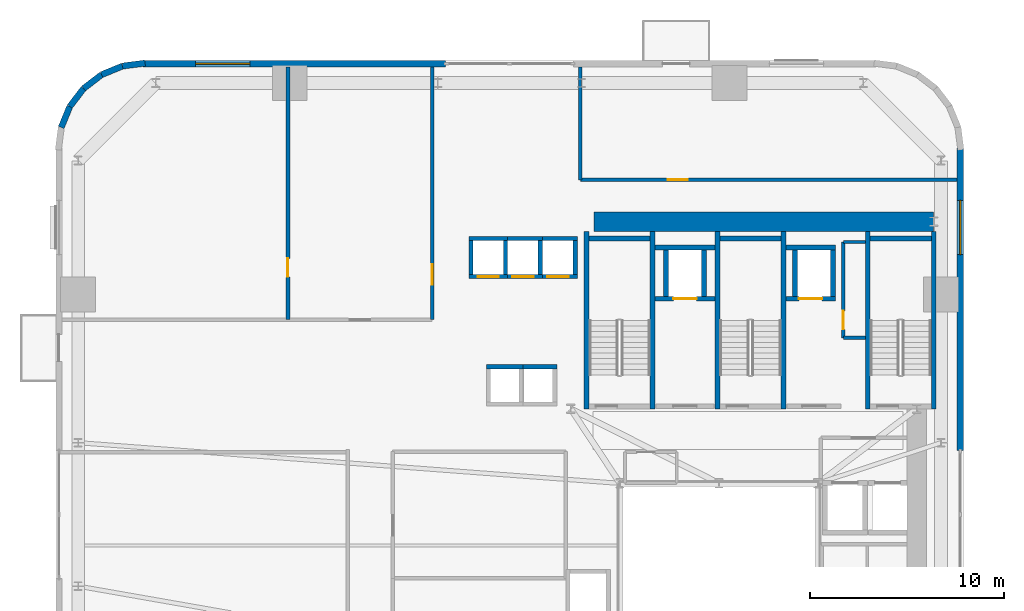
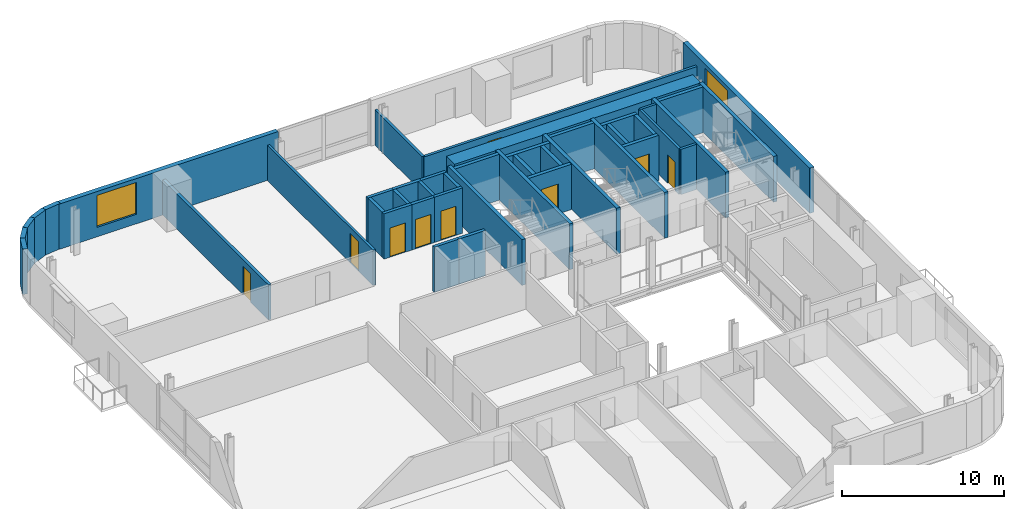
# One storey, part 8 of 13: 44 walls, 9 doors, 2 windows, 11 openings.
"""IFC4 building model written with IfcOpenShell, lengths in metres."""

from ifc_helpers import new_model, si_unit, direction, frame, frame_2d, origin, place, context, subcontext, project, spatial, rectangle, extrude, source, transform, mapped, material, layer, layer_set, type_object, element, fill, save


model = new_model("IFC4")

# Units and contexts
model_context = context("Model", 3, precision=1e-05, world=origin(), true_north=direction((0.0, 1.0)))
body_context = subcontext(model_context, "Body", "Model", "MODEL_VIEW")
ifc_project = project(units=[si_unit("LENGTHUNIT", "METRE"), si_unit("AREAUNIT", "SQUARE_METRE"), si_unit("VOLUMEUNIT", "CUBIC_METRE"), si_unit("PLANEANGLEUNIT", "RADIAN"), si_unit("MASSUNIT", "GRAM", prefix="KILO")], contexts=[model_context])

# Site, building, storey
site_placement = place(None, origin())
site = spatial("IfcSite", under=ifc_project, at=site_placement, CompositionType="ELEMENT")
building_placement = place(site_placement, origin())
building = spatial("IfcBuilding", under=site, at=building_placement, Name="Vardaveli Station Tower", CompositionType="ELEMENT")
storey_placement = place(building_placement, frame((0.0, 0.0, 86.0)))
storey = spatial("IfcBuildingStorey", under=building, at=storey_placement, Name="L22", CompositionType="ELEMENT", Elevation=86.0)

# Wall
ifc_material_1 = material(Name="Concrete C60/75", Category="concrete")
ifc_layer_1 = layer(ifc_material_1, 1.0, Name="Concrete C60/75")
ifc_layer_set_1 = layer_set([ifc_layer_1], Name="Concrete C60/75")
wall_type_1 = type_object("IfcWallType", Name="WAL-CORE-1000", PredefinedType="SHEAR", material=ifc_layer_set_1)
shared_shape_1 = source(origin(), body_context, "Body", "SweptSolid", [
    extrude(rectangle(XDim=17.52001953125, YDim=1.0, at=frame_2d((8.760009765625, 0.0))), origin(), (0.0, 0.0, 1.0), 3.409912109375),
])
wall_1_placement = place(storey_placement, frame((29.85009765625, 40.300048828125, 0.0), z_axis=(0.0, 0.0, 1.0), x_axis=(1.0, 0.0, 0.0)))
element("IfcWall", 1, at=wall_1_placement, inside=storey, type_object=wall_type_1, Name="SW-L22-NORTH", PredefinedType="SHEAR", context=body_context, shape_type="MappedRepresentation", body=[
    mapped(shared_shape_1, transform((0.0, 0.0, 0.0), scale=1.0)),
])

# Wall, opening, window
ifc_material_2 = material(Name="Precast concrete C45/55", Category="concrete")
ifc_layer_2 = layer(ifc_material_2, 0.320068359375, Name="Precast concrete C45/55")
ifc_layer_set_2 = layer_set([ifc_layer_2], Name="Precast concrete C45/55")
wall_type_2 = type_object("IfcWallType", Name="WAL-EXT-STONE-320", PredefinedType="SOLIDWALL", material=ifc_layer_set_2)
shared_shape_2 = source(origin(), body_context, "Body", "SweptSolid", [
    extrude(rectangle(XDim=15.599853515625, YDim=0.320068359375, at=frame_2d((7.7998046875, 0.0))), origin(), (0.0, 0.0, 1.0), 3.409912109375),
])
wall_2_placement = place(storey_placement, frame((22.199951171875, 48.43994140625, 0.0), z_axis=(0.0, 0.0, 1.0), x_axis=(-1.0, 0.0, 0.0)))
wall_2 = element("IfcWall", 2, at=wall_2_placement, inside=storey, type_object=wall_type_2, Name="EW-L22-N2", PredefinedType="SOLIDWALL", context=body_context, shape_type="MappedRepresentation", body=[
    mapped(shared_shape_2, transform((0.0, 0.0, 0.0), scale=1.0)),
])
shared_shape_3 = source(origin(), body_context, "Body", "SweptSolid", [
    extrude(rectangle(XDim=2.800048828125, YDim=2.39990234375, at=frame_2d((1.39990234375, 1.199951171875))), frame((0.0, 0.169921875, 0.0), z_axis=(0.0, -1.0, 0.0), x_axis=(1.0, 0.0, 0.0)), (0.0, 0.0, 1.0), 0.340087890625),
])
opening_1_placement = place(wall_2_placement, frame((10.094970703125, 0.0, 0.719970703125)))
opening_1 = element("IfcOpeningElement", 3, at=opening_1_placement, cuts=wall_2, Name="Opening W-04", PredefinedType="OPENING", context=body_context, shape_type="MappedRepresentation", body=[
    mapped(shared_shape_3, transform((0.0, 0.0, 0.0), scale=1.0)),
])
ifc_material_3 = material(Name="Low-E solar-control glass", Category="glass")
window_type = type_object("IfcWindowType", Name="WIN-SUITE-2800x2400", PartitioningType="SINGLE_PANEL", PredefinedType="WINDOW", material=ifc_material_3)
shared_shape_4 = source(origin(), body_context, "Body", "SweptSolid", [
    extrude(rectangle(XDim=2.800048828125, YDim=2.39990234375, at=frame_2d((1.39990234375, 1.199951171875))), frame((0.0, 0.030029296875, 0.0), z_axis=(0.0, -1.0, 0.0), x_axis=(1.0, 0.0, 0.0)), (0.0, 0.0, 1.0), 0.06005859375),
])
window_1_placement = place(opening_1_placement, origin())
window_1 = element("IfcWindow", 4, at=window_1_placement, inside=storey, type_object=window_type, Name="WN-L22-N2", OverallHeight=2.39990234375, OverallWidth=2.800048828125, PartitioningType="SINGLE_PANEL", PredefinedType="WINDOW", context=body_context, shape_type="MappedRepresentation", body=[
    mapped(shared_shape_4, transform((0.0, 0.0, 0.0), scale=1.0)),
])
fill(opening_1, window_1)

shared_shape_5 = source(origin(), body_context, "Body", "SweptSolid", [
    extrude(rectangle(XDim=15.60009765625, YDim=0.320068359375, at=frame_2d((7.800048828125, 0.0))), origin(), (0.0, 0.0, 1.0), 3.409912109375),
])
wall_3_placement = place(storey_placement, frame((48.739990234375, 28.5, 0.0), z_axis=(0.0, 0.0, 1.0), x_axis=(0.0, 1.0, 0.0)))
wall_3 = element("IfcWall", 5, at=wall_3_placement, inside=storey, type_object=wall_type_2, Name="EW-L22-E2", PredefinedType="SOLIDWALL", context=body_context, shape_type="MappedRepresentation", body=[
    mapped(shared_shape_5, transform((0.0, 0.0, 0.0), scale=1.0)),
])
opening_2_placement = place(wall_3_placement, frame((10.094970703125, 0.0, 0.719970703125)))
opening_2 = element("IfcOpeningElement", 6, at=opening_2_placement, cuts=wall_3, Name="Opening W-04", PredefinedType="OPENING", context=body_context, shape_type="MappedRepresentation", body=[
    mapped(shared_shape_3, transform((0.0, 0.0, 0.0), scale=1.0)),
])
window_2_placement = place(opening_2_placement, origin())
window_2 = element("IfcWindow", 7, at=window_2_placement, inside=storey, type_object=window_type, Name="WN-L22-E2", OverallHeight=2.39990234375, OverallWidth=2.800048828125, PartitioningType="SINGLE_PANEL", PredefinedType="WINDOW", context=body_context, shape_type="MappedRepresentation", body=[
    mapped(shared_shape_4, transform((0.0, 0.0, 0.0), scale=1.0)),
])
fill(opening_2, window_2)

# Walls
shared_shape_6 = source(origin(), body_context, "Body", "SweptSolid", [
    extrude(rectangle(XDim=1.1689453125, YDim=0.320068359375, at=frame_2d((0.58447265625, 0.0))), origin(), (0.0, 0.0, 1.0), 3.409912109375),
])
wall_4_placement = place(storey_placement, frame((3.53125, 47.1689453125, 0.0), z_axis=(0.0, 0.0, 1.0), x_axis=(-0.608387696831, -0.793639975269, 0.0)))
element("IfcWall", 8, at=wall_4_placement, inside=storey, type_object=wall_type_2, Name="EW-L22-CR4-4", PredefinedType="SOLIDWALL", context=body_context, shape_type="MappedRepresentation", body=[
    mapped(shared_shape_6, transform((0.0, 0.0, 0.0), scale=1.0)),
])
shared_shape_7 = source(origin(), body_context, "Body", "SweptSolid", [
    extrude(rectangle(XDim=1.168701171875, YDim=0.320068359375, at=frame_2d((0.58447265625, 0.0))), origin(), (0.0, 0.0, 1.0), 3.409912109375),
])
wall_5_placement = place(storey_placement, frame((4.458740234375, 47.8798828125, 0.0), z_axis=(0.0, 0.0, 1.0), x_axis=(-0.793663520347, -0.608356981114, 0.0)))
element("IfcWall", 9, at=wall_5_placement, inside=storey, type_object=wall_type_2, Name="EW-L22-CR4-3", PredefinedType="SOLIDWALL", context=body_context, shape_type="MappedRepresentation", body=[
    mapped(shared_shape_7, transform((0.0, 0.0, 0.0), scale=1.0)),
])
shared_shape_8 = source(origin(), body_context, "Body", "SweptSolid", [
    extrude(rectangle(XDim=1.17041015625, YDim=0.320068359375, at=frame_2d((0.585205078125, 0.0))), origin(), (0.0, 0.0, 1.0), 3.409912109375),
])
wall_6_placement = place(storey_placement, frame((6.700439453125, 48.4755859375, 0.0), z_axis=(0.0, 0.0, 1.0), x_axis=(-0.991735963317, -0.128295670475, 0.0)))
element("IfcWall", 10, at=wall_6_placement, inside=storey, type_object=wall_type_2, Name="EW-L22-CR4-1", PredefinedType="SOLIDWALL", context=body_context, shape_type="MappedRepresentation", body=[
    mapped(shared_shape_8, transform((0.0, 0.0, 0.0), scale=1.0)),
])
shared_shape_9 = source(origin(), body_context, "Body", "SweptSolid", [
    extrude(rectangle(XDim=1.169189453125, YDim=0.320068359375, at=frame_2d((0.58447265625, 0.0))), origin(), (0.0, 0.0, 1.0), 3.409912109375),
])
for number, where, z_axis, x_axis, name in (
    (11, (5.539794921875, 48.325439453125, 0.0), (0.0, 0.0, 1.0), (-0.924552646638, -0.381054331552, 0.0), "EW-L22-CR4-2"),
    (12, (2.820068359375, 46.2412109375, 0.0), (0.0, 0.0, 1.0), (-0.381054331552, -0.924552646638, 0.0), "EW-L22-CR4-5"),
):
    element("IfcWall", number, at=place(storey_placement, frame(where, z_axis=z_axis, x_axis=x_axis)), inside=storey, type_object=wall_type_2, Name=name, PredefinedType="SOLIDWALL", context=body_context, shape_type="MappedRepresentation", body=[
        mapped(shared_shape_9, transform((0.0, 0.0, 0.0), scale=1.0)),
    ])
ifc_material_4 = material(Name="Concrete C40/50", Category="concrete")
ifc_layer_3 = layer(ifc_material_4, 0.25, Name="Concrete C40/50")
ifc_layer_set_3 = layer_set([ifc_layer_3], Name="Concrete C40/50")
wall_type_3 = type_object("IfcWallType", Name="WAL-SHAFT-250", PredefinedType="SOLIDWALL", material=ifc_layer_set_3)
shared_shape_10 = source(origin(), body_context, "Body", "SweptSolid", [
    extrude(rectangle(XDim=9.150146484375, YDim=0.25, at=frame_2d((4.5751953125, 0.0))), origin(), (0.0, 0.0, 1.0), 3.449951171875),
])
for number, where, z_axis, x_axis, name in (
    (13, (29.47509765625, 30.64990234375, 0.0), (0.0, 0.0, 1.0), (0.0, 1.0, 0.0), "W-L22-ST-1W"),
    (14, (32.875, 30.64990234375, 0.0), (0.0, 0.0, 1.0), (0.0, 1.0, 0.0), "W-L22-ST-1E"),
    (15, (36.22509765625, 30.64990234375, 0.0), (0.0, 0.0, 1.0), (0.0, 1.0, 0.0), "W-L22-ST-2W"),
    (16, (39.625, 30.64990234375, 0.0), (0.0, 0.0, 1.0), (0.0, 1.0, 0.0), "W-L22-ST-2E"),
    (17, (43.97509765625, 30.64990234375, 0.0), (0.0, 0.0, 1.0), (0.0, 1.0, 0.0), "W-L22-ST-3W"),
    (18, (47.375, 30.64990234375, 0.0), (0.0, 0.0, 1.0), (0.0, 1.0, 0.0), "W-L22-ST-3E"),
):
    element("IfcWall", number, at=place(storey_placement, frame(where, z_axis=z_axis, x_axis=x_axis)), inside=storey, type_object=wall_type_3, Name=name, PredefinedType="SOLIDWALL", context=body_context, shape_type="MappedRepresentation", body=[
        mapped(shared_shape_10, transform((0.0, 0.0, 0.0), scale=1.0)),
    ])
shared_shape_11 = source(origin(), body_context, "Body", "SweptSolid", [
    extrude(rectangle(XDim=3.14990234375, YDim=0.25, at=frame_2d((1.574951171875, 0.0))), origin(), (0.0, 0.0, 1.0), 3.449951171875),
])
for number, where, z_axis, x_axis, name in (
    (19, (29.60009765625, 39.425048828125, 0.0), (0.0, 0.0, 1.0), (1.0, 0.0, 0.0), "W-L22-ST-1N"),
    (20, (36.35009765625, 39.425048828125, 0.0), (0.0, 0.0, 1.0), (1.0, 0.0, 0.0), "W-L22-ST-2N"),
    (21, (44.10009765625, 39.425048828125, 0.0), (0.0, 0.0, 1.0), (1.0, 0.0, 0.0), "W-L22-ST-3N"),
):
    element("IfcWall", number, at=place(storey_placement, frame(where, z_axis=z_axis, x_axis=x_axis)), inside=storey, type_object=wall_type_3, Name=name, PredefinedType="SOLIDWALL", context=body_context, shape_type="MappedRepresentation", body=[
        mapped(shared_shape_11, transform((0.0, 0.0, 0.0), scale=1.0)),
    ])
ifc_layer_4 = layer(ifc_material_4, 0.219970703125, Name="Concrete C40/50")
ifc_layer_set_4 = layer_set([ifc_layer_4], Name="Concrete C40/50")
wall_type_4 = type_object("IfcWallType", Name="WAL-FFLOBBY-220", PredefinedType="SOLIDWALL", material=ifc_layer_set_4)
shared_shape_12 = source(origin(), body_context, "Body", "SweptSolid", [
    extrude(rectangle(XDim=1.75, YDim=0.219970703125, at=frame_2d((0.875, 0.0))), origin(), (0.0, 0.0, 1.0), 3.409912109375),
])
for number, where, z_axis, x_axis, name in (
    (22, (23.514892578125, 37.574951171875, 0.0), (0.0, 0.0, 1.0), (0.0, 1.0, 0.0), "SHW-HL1-01-L22-W"),
    (23, (25.284912109375, 37.574951171875, 0.0), (0.0, 0.0, 1.0), (0.0, 1.0, 0.0), "SHW-HL1-01-L22-E"),
    (24, (27.0849609375, 37.574951171875, 0.0), (0.0, 0.0, 1.0), (0.0, 1.0, 0.0), "SHW-HL1-02-L22-E"),
    (25, (28.885009765625, 37.574951171875, 0.0), (0.0, 0.0, 1.0), (0.0, 1.0, 0.0), "SHW-HL1-03-L22-E"),
):
    element("IfcWall", number, at=place(storey_placement, frame(where, z_axis=z_axis, x_axis=x_axis)), inside=storey, type_object=wall_type_4, Name=name, PredefinedType="SOLIDWALL", context=body_context, shape_type="MappedRepresentation", body=[
        mapped(shared_shape_12, transform((0.0, 0.0, 0.0), scale=1.0)),
    ])

# Wall, opening, door
shared_shape_13 = source(origin(), body_context, "Body", "SweptSolid", [
    extrude(rectangle(XDim=1.989990234375, YDim=0.219970703125, at=frame_2d((0.9951171875, 0.0))), origin(), (0.0, 0.0, 1.0), 3.409912109375),
])
wall_7_placement = place(storey_placement, frame((23.405029296875, 37.465087890625, 0.0), z_axis=(0.0, 0.0, 1.0), x_axis=(1.0, 0.0, 0.0)))
wall_7 = element("IfcWall", 26, at=wall_7_placement, inside=storey, type_object=wall_type_4, Name="SHW-HL1-01-L22-S", PredefinedType="SOLIDWALL", context=body_context, shape_type="MappedRepresentation", body=[
    mapped(shared_shape_13, transform((0.0, 0.0, 0.0), scale=1.0)),
])
shared_shape_14 = source(origin(), body_context, "Body", "SweptSolid", [
    extrude(rectangle(XDim=1.10009765625, YDim=2.199951171875, at=frame_2d((0.550048828125, 1.10009765625))), frame((0.0, 0.1201171875, 0.0), z_axis=(0.0, -1.0, 0.0), x_axis=(1.0, 0.0, 0.0)), (0.0, 0.0, 1.0), 0.239990234375),
])
opening_3_placement = place(wall_7_placement, frame((0.445068359375, 0.0, 0.0)))
opening_3 = element("IfcOpeningElement", 27, at=opening_3_placement, cuts=wall_7, Name="Opening LD-01", PredefinedType="OPENING", context=body_context, shape_type="MappedRepresentation", body=[
    mapped(shared_shape_14, transform((0.0, 0.0, 0.0), scale=1.0)),
])
ifc_material_5 = material(Name="Brushed stainless steel", Category="steel")
door_type_1 = type_object("IfcDoorType", Name="DR-LD-1100x2200", OperationType="DOUBLE_DOOR_SLIDING", PredefinedType="DOOR", material=ifc_material_5)
shared_shape_15 = source(origin(), body_context, "Body", "SweptSolid", [
    extrude(rectangle(XDim=1.10009765625, YDim=2.199951171875, at=frame_2d((0.550048828125, 1.10009765625))), frame((0.0, 0.02490234375, 0.0), z_axis=(0.0, -1.0, 0.0), x_axis=(1.0, 0.0, 0.0)), (0.0, 0.0, 1.0), 0.050048828125),
])
door_1_placement = place(opening_3_placement, origin())
door_1 = element("IfcDoor", 28, at=door_1_placement, inside=storey, type_object=door_type_1, Name="LD-HL1-01-L22", OperationType="DOUBLE_DOOR_SLIDING", OverallHeight=2.199951171875, OverallWidth=1.10009765625, PredefinedType="DOOR", context=body_context, shape_type="MappedRepresentation", body=[
    mapped(shared_shape_15, transform((0.0, 0.0, 0.0), scale=1.0)),
])
fill(opening_3, door_1)

# Wall
wall_8_placement = place(storey_placement, frame((23.405029296875, 39.43505859375, 0.0), z_axis=(0.0, 0.0, 1.0), x_axis=(1.0, 0.0, 0.0)))
element("IfcWall", 29, at=wall_8_placement, inside=storey, type_object=wall_type_4, Name="SHW-HL1-01-L22-N", PredefinedType="SOLIDWALL", context=body_context, shape_type="MappedRepresentation", body=[
    mapped(shared_shape_13, transform((0.0, 0.0, 0.0), scale=1.0)),
])

# Wall, opening, door
wall_9_placement = place(storey_placement, frame((25.205078125, 37.465087890625, 0.0), z_axis=(0.0, 0.0, 1.0), x_axis=(1.0, 0.0, 0.0)))
wall_9 = element("IfcWall", 30, at=wall_9_placement, inside=storey, type_object=wall_type_4, Name="SHW-HL1-02-L22-S", PredefinedType="SOLIDWALL", context=body_context, shape_type="MappedRepresentation", body=[
    mapped(shared_shape_13, transform((0.0, 0.0, 0.0), scale=1.0)),
])
opening_4_placement = place(wall_9_placement, frame((0.445068359375, 0.0, 0.0)))
opening_4 = element("IfcOpeningElement", 31, at=opening_4_placement, cuts=wall_9, Name="Opening LD-01", PredefinedType="OPENING", context=body_context, shape_type="MappedRepresentation", body=[
    mapped(shared_shape_14, transform((0.0, 0.0, 0.0), scale=1.0)),
])
door_2_placement = place(opening_4_placement, origin())
door_2 = element("IfcDoor", 32, at=door_2_placement, inside=storey, type_object=door_type_1, Name="LD-HL1-02-L22", OperationType="DOUBLE_DOOR_SLIDING", OverallHeight=2.199951171875, OverallWidth=1.10009765625, PredefinedType="DOOR", context=body_context, shape_type="MappedRepresentation", body=[
    mapped(shared_shape_15, transform((0.0, 0.0, 0.0), scale=1.0)),
])
fill(opening_4, door_2)

# Wall
wall_10_placement = place(storey_placement, frame((25.205078125, 39.43505859375, 0.0), z_axis=(0.0, 0.0, 1.0), x_axis=(1.0, 0.0, 0.0)))
element("IfcWall", 33, at=wall_10_placement, inside=storey, type_object=wall_type_4, Name="SHW-HL1-02-L22-N", PredefinedType="SOLIDWALL", context=body_context, shape_type="MappedRepresentation", body=[
    mapped(shared_shape_13, transform((0.0, 0.0, 0.0), scale=1.0)),
])

# Wall, opening, door
shared_shape_16 = source(origin(), body_context, "Body", "SweptSolid", [
    extrude(rectangle(XDim=1.990234375, YDim=0.219970703125, at=frame_2d((0.9951171875, 0.0))), origin(), (0.0, 0.0, 1.0), 3.409912109375),
])
wall_11_placement = place(storey_placement, frame((27.0048828125, 37.465087890625, 0.0), z_axis=(0.0, 0.0, 1.0), x_axis=(1.0, 0.0, 0.0)))
wall_11 = element("IfcWall", 34, at=wall_11_placement, inside=storey, type_object=wall_type_4, Name="SHW-HL1-03-L22-S", PredefinedType="SOLIDWALL", context=body_context, shape_type="MappedRepresentation", body=[
    mapped(shared_shape_16, transform((0.0, 0.0, 0.0), scale=1.0)),
])
opening_5_placement = place(wall_11_placement, frame((0.445068359375, 0.0, 0.0)))
opening_5 = element("IfcOpeningElement", 35, at=opening_5_placement, cuts=wall_11, Name="Opening LD-01", PredefinedType="OPENING", context=body_context, shape_type="MappedRepresentation", body=[
    mapped(shared_shape_14, transform((0.0, 0.0, 0.0), scale=1.0)),
])
door_3_placement = place(opening_5_placement, origin())
door_3 = element("IfcDoor", 36, at=door_3_placement, inside=storey, type_object=door_type_1, Name="LD-HL1-03-L22", OperationType="DOUBLE_DOOR_SLIDING", OverallHeight=2.199951171875, OverallWidth=1.10009765625, PredefinedType="DOOR", context=body_context, shape_type="MappedRepresentation", body=[
    mapped(shared_shape_15, transform((0.0, 0.0, 0.0), scale=1.0)),
])
fill(opening_5, door_3)

# Wall
wall_12_placement = place(storey_placement, frame((27.0048828125, 39.43505859375, 0.0), z_axis=(0.0, 0.0, 1.0), x_axis=(1.0, 0.0, 0.0)))
element("IfcWall", 37, at=wall_12_placement, inside=storey, type_object=wall_type_4, Name="SHW-HL1-03-L22-N", PredefinedType="SOLIDWALL", context=body_context, shape_type="MappedRepresentation", body=[
    mapped(shared_shape_16, transform((0.0, 0.0, 0.0), scale=1.0)),
])

# Wall, opening, door
shared_shape_17 = source(origin(), body_context, "Body", "SweptSolid", [
    extrude(rectangle(XDim=3.10009765625, YDim=0.25, at=frame_2d((1.550048828125, 0.0))), origin(), (0.0, 0.0, 1.0), 3.409912109375),
])
wall_13_placement = place(storey_placement, frame((33.0, 36.324951171875, 0.0), z_axis=(0.0, 0.0, 1.0), x_axis=(1.0, 0.0, 0.0)))
wall_13 = element("IfcWall", 38, at=wall_13_placement, inside=storey, type_object=wall_type_3, Name="SHW-FFL-01-L22-S", PredefinedType="SOLIDWALL", context=body_context, shape_type="MappedRepresentation", body=[
    mapped(shared_shape_17, transform((0.0, 0.0, 0.0), scale=1.0)),
])
shared_shape_18 = source(origin(), body_context, "Body", "SweptSolid", [
    extrude(rectangle(XDim=1.199951171875, YDim=2.25, at=frame_2d((0.60009765625, 1.125))), frame((0.0, 0.135009765625, 0.0), z_axis=(0.0, -1.0, 0.0), x_axis=(1.0, 0.0, 0.0)), (0.0, 0.0, 1.0), 0.27001953125),
])
opening_6_placement = place(wall_13_placement, frame((0.949951171875, 0.0, 0.0)))
opening_6 = element("IfcOpeningElement", 39, at=opening_6_placement, cuts=wall_13, Name="Opening LD-02", PredefinedType="OPENING", context=body_context, shape_type="MappedRepresentation", body=[
    mapped(shared_shape_18, transform((0.0, 0.0, 0.0), scale=1.0)),
])
door_type_2 = type_object("IfcDoorType", Name="DR-LD-1200x2250", OperationType="DOUBLE_DOOR_SLIDING", PredefinedType="DOOR", material=ifc_material_5)
shared_shape_19 = source(origin(), body_context, "Body", "SweptSolid", [
    extrude(rectangle(XDim=1.199951171875, YDim=2.25, at=frame_2d((0.60009765625, 1.125))), frame((0.0, 0.02490234375, 0.0), z_axis=(0.0, -1.0, 0.0), x_axis=(1.0, 0.0, 0.0)), (0.0, 0.0, 1.0), 0.050048828125),
])
door_4_placement = place(opening_6_placement, origin())
door_4 = element("IfcDoor", 40, at=door_4_placement, inside=storey, type_object=door_type_2, Name="LD-FFL-01-L22", OperationType="DOUBLE_DOOR_SLIDING", OverallHeight=2.25, OverallWidth=1.199951171875, PredefinedType="DOOR", context=body_context, shape_type="MappedRepresentation", body=[
    mapped(shared_shape_19, transform((0.0, 0.0, 0.0), scale=1.0)),
])
fill(opening_6, door_4)

# Walls
wall_14_placement = place(storey_placement, frame((33.0, 38.97509765625, 0.0), z_axis=(0.0, 0.0, 1.0), x_axis=(1.0, 0.0, 0.0)))
element("IfcWall", 41, at=wall_14_placement, inside=storey, type_object=wall_type_3, Name="SHW-FFL-01-L22-N", PredefinedType="SOLIDWALL", context=body_context, shape_type="MappedRepresentation", body=[
    mapped(shared_shape_17, transform((0.0, 0.0, 0.0), scale=1.0)),
])
shared_shape_20 = source(origin(), body_context, "Body", "SweptSolid", [
    extrude(rectangle(XDim=2.400146484375, YDim=0.25, at=frame_2d((1.2001953125, 0.0))), origin(), (0.0, 0.0, 1.0), 3.409912109375),
])
for number, where, z_axis, x_axis, name in (
    (42, (33.574951171875, 36.449951171875, 0.0), (0.0, 0.0, 1.0), (0.0, 1.0, 0.0), "SHW-FFL-01-L22-W"),
    (43, (35.52490234375, 36.449951171875, 0.0), (0.0, 0.0, 1.0), (0.0, 1.0, 0.0), "SHW-FFL-01-L22-E"),
    (44, (40.22509765625, 36.449951171875, 0.0), (0.0, 0.0, 1.0), (0.0, 1.0, 0.0), "SHW-FFL-02-L22-W"),
    (45, (42.175048828125, 36.449951171875, 0.0), (0.0, 0.0, 1.0), (0.0, 1.0, 0.0), "SHW-FFL-02-L22-E"),
):
    element("IfcWall", number, at=place(storey_placement, frame(where, z_axis=z_axis, x_axis=x_axis)), inside=storey, type_object=wall_type_3, Name=name, PredefinedType="SOLIDWALL", context=body_context, shape_type="MappedRepresentation", body=[
        mapped(shared_shape_20, transform((0.0, 0.0, 0.0), scale=1.0)),
    ])

# Wall, opening, door
shared_shape_21 = source(origin(), body_context, "Body", "SweptSolid", [
    extrude(rectangle(XDim=2.550048828125, YDim=0.25, at=frame_2d((1.27490234375, 0.0))), origin(), (0.0, 0.0, 1.0), 3.409912109375),
])
wall_15_placement = place(storey_placement, frame((39.75, 36.324951171875, 0.0), z_axis=(0.0, 0.0, 1.0), x_axis=(1.0, 0.0, 0.0)))
wall_15 = element("IfcWall", 46, at=wall_15_placement, inside=storey, type_object=wall_type_3, Name="SHW-FFL-02-L22-S", PredefinedType="SOLIDWALL", context=body_context, shape_type="MappedRepresentation", body=[
    mapped(shared_shape_21, transform((0.0, 0.0, 0.0), scale=1.0)),
])
opening_7_placement = place(wall_15_placement, frame((0.675048828125, 0.0, 0.0)))
opening_7 = element("IfcOpeningElement", 47, at=opening_7_placement, cuts=wall_15, Name="Opening LD-02", PredefinedType="OPENING", context=body_context, shape_type="MappedRepresentation", body=[
    mapped(shared_shape_18, transform((0.0, 0.0, 0.0), scale=1.0)),
])
door_5_placement = place(opening_7_placement, origin())
door_5 = element("IfcDoor", 48, at=door_5_placement, inside=storey, type_object=door_type_2, Name="LD-FFL-02-L22", OperationType="DOUBLE_DOOR_SLIDING", OverallHeight=2.25, OverallWidth=1.199951171875, PredefinedType="DOOR", context=body_context, shape_type="MappedRepresentation", body=[
    mapped(shared_shape_19, transform((0.0, 0.0, 0.0), scale=1.0)),
])
fill(opening_7, door_5)

# Walls
wall_16_placement = place(storey_placement, frame((39.75, 38.97509765625, 0.0), z_axis=(0.0, 0.0, 1.0), x_axis=(1.0, 0.0, 0.0)))
element("IfcWall", 49, at=wall_16_placement, inside=storey, type_object=wall_type_3, Name="SHW-FFL-02-L22-N", PredefinedType="SOLIDWALL", context=body_context, shape_type="MappedRepresentation", body=[
    mapped(shared_shape_21, transform((0.0, 0.0, 0.0), scale=1.0)),
])
shared_shape_22 = source(origin(), body_context, "Body", "SweptSolid", [
    extrude(rectangle(XDim=1.89013671875, YDim=0.219970703125, at=frame_2d((0.945068359375, 0.0))), origin(), (0.0, 0.0, 1.0), 3.409912109375),
])
for number, where, z_axis, x_axis, name in (
    (50, (24.304931640625, 32.81005859375, 0.0), (0.0, 0.0, 1.0), (1.0, 0.0, 0.0), "SHW-SHU-01-L22-N"),
    (51, (26.054931640625, 32.81005859375, 0.0), (0.0, 0.0, 1.0), (1.0, 0.0, 0.0), "SHW-SHU-02-L22-N"),
):
    element("IfcWall", number, at=place(storey_placement, frame(where, z_axis=z_axis, x_axis=x_axis)), inside=storey, type_object=wall_type_4, Name=name, PredefinedType="SOLIDWALL", context=body_context, shape_type="MappedRepresentation", body=[
        mapped(shared_shape_22, transform((0.0, 0.0, 0.0), scale=1.0)),
    ])

# Wall, opening, door
ifc_material_6 = material(Name="Fire-rated gypsum stud partition")
ifc_layer_5 = layer(ifc_material_6, 0.179931640625, Name="Fire-rated gypsum stud partition")
ifc_layer_set_5 = layer_set([ifc_layer_5], Name="Fire-rated gypsum stud partition")
wall_type_5 = type_object("IfcWallType", Name="WAL-CORR-180", PredefinedType="PARTITIONING", material=ifc_layer_set_5)
shared_shape_23 = source(origin(), body_context, "Body", "SweptSolid", [
    extrude(rectangle(XDim=19.427978515625, YDim=0.179931640625, at=frame_2d((9.7138671875, 0.0))), origin(), (0.0, 0.0, 1.0), 2.652099609375),
])
wall_17_placement = place(storey_placement, frame((29.14990234375, 42.449951171875, 0.0), z_axis=(0.0, 0.0, 1.0), x_axis=(1.0, 0.0, 0.0)))
wall_17 = element("IfcWall", 52, at=wall_17_placement, inside=storey, type_object=wall_type_5, Name="W-L22-NPS", PredefinedType="PARTITIONING", context=body_context, shape_type="MappedRepresentation", body=[
    mapped(shared_shape_23, transform((0.0, 0.0, 0.0), scale=1.0)),
])
shared_shape_24 = source(origin(), body_context, "Body", "SweptSolid", [
    extrude(rectangle(XDim=1.050048828125, YDim=2.199951171875, at=frame_2d((0.52490234375, 1.10009765625))), frame((0.0, 0.10009765625, 0.0), z_axis=(0.0, -1.0, 0.0), x_axis=(1.0, 0.0, 0.0)), (0.0, 0.0, 1.0), 0.199951171875),
])
opening_8_placement = place(wall_17_placement, frame((4.5, 0.0, 0.0)))
opening_8 = element("IfcOpeningElement", 53, at=opening_8_placement, cuts=wall_17, Name="Opening D-05", PredefinedType="OPENING", context=body_context, shape_type="MappedRepresentation", body=[
    mapped(shared_shape_24, transform((0.0, 0.0, 0.0), scale=1.0)),
])
ifc_material_7 = material(Name="Walnut veneer acoustic fire door")
door_type_3 = type_object("IfcDoorType", Name="DR-SUITE-1050x2200", OperationType="NOTDEFINED", PredefinedType="DOOR", material=ifc_material_7)
shared_shape_25 = source(origin(), body_context, "Body", "SweptSolid", [
    extrude(rectangle(XDim=1.050048828125, YDim=2.199951171875, at=frame_2d((0.52490234375, 1.10009765625))), frame((0.0, 0.02490234375, 0.0), z_axis=(0.0, -1.0, 0.0), x_axis=(1.0, 0.0, 0.0)), (0.0, 0.0, 1.0), 0.050048828125),
])
door_6_placement = place(opening_8_placement, origin())
door_6 = element("IfcDoor", 54, at=door_6_placement, inside=storey, type_object=door_type_3, Name="D-L22-NP1", OperationType="SINGLE_SWING_LEFT", OverallHeight=2.199951171875, OverallWidth=1.050048828125, PredefinedType="DOOR", context=body_context, shape_type="MappedRepresentation", body=[
    mapped(shared_shape_25, transform((0.0, 0.0, 0.0), scale=1.0)),
])
fill(opening_8, door_6)

shared_shape_26 = source(origin(), body_context, "Body", "SweptSolid", [
    extrude(rectangle(XDim=13.028076171875, YDim=0.179931640625, at=frame_2d((6.51416015625, 0.0))), origin(), (0.0, 0.0, 1.0), 2.652099609375),
])
wall_18_placement = place(storey_placement, frame((21.5, 35.25, 0.0), z_axis=(0.0, 0.0, 1.0), x_axis=(0.0, 1.0, 0.0)))
wall_18 = element("IfcWall", 55, at=wall_18_placement, inside=storey, type_object=wall_type_5, Name="W-L22-CNWE", PredefinedType="PARTITIONING", context=body_context, shape_type="MappedRepresentation", body=[
    mapped(shared_shape_26, transform((0.0, 0.0, 0.0), scale=1.0)),
])
opening_9_placement = place(wall_18_placement, frame((1.800048828125, 0.0, 0.0)))
opening_9 = element("IfcOpeningElement", 56, at=opening_9_placement, cuts=wall_18, Name="Opening D-05", PredefinedType="OPENING", context=body_context, shape_type="MappedRepresentation", body=[
    mapped(shared_shape_24, transform((0.0, 0.0, 0.0), scale=1.0)),
])
door_7_placement = place(opening_9_placement, origin())
door_7 = element("IfcDoor", 57, at=door_7_placement, inside=storey, type_object=door_type_3, Name="D-L22-GNWE", OperationType="SINGLE_SWING_RIGHT", OverallHeight=2.199951171875, OverallWidth=1.050048828125, PredefinedType="DOOR", context=body_context, shape_type="MappedRepresentation", body=[
    mapped(shared_shape_25, transform((0.0, 0.0, 0.0), scale=1.0)),
])
fill(opening_9, door_7)

shared_shape_27 = source(origin(), body_context, "Body", "SweptSolid", [
    extrude(rectangle(XDim=4.949951171875, YDim=0.179931640625, at=frame_2d((2.47509765625, 0.0))), origin(), (0.0, 0.0, 1.0), 3.409912109375),
])
wall_19_placement = place(storey_placement, frame((42.719970703125, 34.300048828125, 0.0), z_axis=(0.0, 0.0, 1.0), x_axis=(0.0, 1.0, 0.0)))
wall_19 = element("IfcWall", 58, at=wall_19_placement, inside=storey, type_object=wall_type_5, Name="W-L22-CBS1-W", PredefinedType="PARTITIONING", context=body_context, shape_type="MappedRepresentation", body=[
    mapped(shared_shape_27, transform((0.0, 0.0, 0.0), scale=1.0)),
])
shared_shape_28 = source(origin(), body_context, "Body", "SweptSolid", [
    extrude(rectangle(XDim=0.949951171875, YDim=2.14990234375, at=frame_2d((0.47509765625, 1.074951171875))), frame((0.0, 0.10009765625, 0.0), z_axis=(0.0, -1.0, 0.0), x_axis=(1.0, 0.0, 0.0)), (0.0, 0.0, 1.0), 0.199951171875),
])
opening_10_placement = place(wall_19_placement, frame((0.449951171875, 0.0, 0.0)))
opening_10 = element("IfcOpeningElement", 59, at=opening_10_placement, cuts=wall_19, Name="Opening D-06", PredefinedType="OPENING", context=body_context, shape_type="MappedRepresentation", body=[
    mapped(shared_shape_28, transform((0.0, 0.0, 0.0), scale=1.0)),
])
ifc_material_8 = material(Name="Oak veneer acoustic fire door")
door_type_4 = type_object("IfcDoorType", Name="DR-GUEST-950x2150", OperationType="NOTDEFINED", PredefinedType="DOOR", material=ifc_material_8)
shared_shape_29 = source(origin(), body_context, "Body", "SweptSolid", [
    extrude(rectangle(XDim=0.949951171875, YDim=2.14990234375, at=frame_2d((0.47509765625, 1.074951171875))), frame((0.0, 0.02490234375, 0.0), z_axis=(0.0, -1.0, 0.0), x_axis=(1.0, 0.0, 0.0)), (0.0, 0.0, 1.0), 0.050048828125),
])
door_8_placement = place(opening_10_placement, origin())
door_8 = element("IfcDoor", 60, at=door_8_placement, inside=storey, type_object=door_type_4, Name="D-L22-HKP", OperationType="SINGLE_SWING_LEFT", OverallHeight=2.14990234375, OverallWidth=0.949951171875, PredefinedType="DOOR", context=body_context, shape_type="MappedRepresentation", body=[
    mapped(shared_shape_29, transform((0.0, 0.0, 0.0), scale=1.0)),
])
fill(opening_10, door_8)

# Walls
shared_shape_30 = source(origin(), body_context, "Body", "SweptSolid", [
    extrude(rectangle(XDim=5.828125, YDim=0.179931640625, at=frame_2d((2.9140625, 0.0))), origin(), (0.0, 0.0, 1.0), 2.652099609375),
])
wall_20_placement = place(storey_placement, frame((29.14990234375, 42.449951171875, 0.0), z_axis=(0.0, 0.0, 1.0), x_axis=(0.0, 1.0, 0.0)))
element("IfcWall", 61, at=wall_20_placement, inside=storey, type_object=wall_type_5, Name="W-L22-NPW", PredefinedType="PARTITIONING", context=body_context, shape_type="MappedRepresentation", body=[
    mapped(shared_shape_30, transform((0.0, 0.0, 0.0), scale=1.0)),
])
shared_shape_31 = source(origin(), body_context, "Body", "SweptSolid", [
    extrude(rectangle(XDim=1.1279296875, YDim=0.179931640625, at=frame_2d((0.56396484375, 0.0))), origin(), (0.0, 0.0, 1.0), 3.409912109375),
])
for number, where, z_axis, x_axis, name in (
    (62, (42.719970703125, 34.300048828125, 0.0), (0.0, 0.0, 1.0), (1.0, 0.0, 0.0), "W-L22-CBS1-S"),
    (63, (42.719970703125, 39.25, 0.0), (0.0, 0.0, 1.0), (1.0, 0.0, 0.0), "W-L22-CBS1-N"),
):
    element("IfcWall", number, at=place(storey_placement, frame(where, z_axis=z_axis, x_axis=x_axis)), inside=storey, type_object=wall_type_5, Name=name, PredefinedType="PARTITIONING", context=body_context, shape_type="MappedRepresentation", body=[
        mapped(shared_shape_31, transform((0.0, 0.0, 0.0), scale=1.0)),
    ])

# Wall, opening, door
ifc_material_9 = material(Name="Acoustic twin-stud gypsum partition")
ifc_layer_6 = layer(ifc_material_9, 0.199951171875, Name="Acoustic twin-stud gypsum partition")
ifc_layer_set_6 = layer_set([ifc_layer_6], Name="Acoustic twin-stud gypsum partition")
wall_type_6 = type_object("IfcWallType", Name="WAL-PARTY-200", PredefinedType="PARTITIONING", material=ifc_layer_set_6)
shared_shape_32 = source(origin(), body_context, "Body", "SweptSolid", [
    extrude(rectangle(XDim=13.028076171875, YDim=0.199951171875, at=frame_2d((6.51416015625, 0.0))), origin(), (0.0, 0.0, 1.0), 2.652099609375),
])
wall_21_placement = place(storey_placement, frame((14.070068359375, 35.25, 0.0), z_axis=(0.0, 0.0, 1.0), x_axis=(0.0, 1.0, 0.0)))
wall_21 = element("IfcWall", 64, at=wall_21_placement, inside=storey, type_object=wall_type_6, Name="W-L22-PNW1", PredefinedType="PARTITIONING", context=body_context, shape_type="MappedRepresentation", body=[
    mapped(shared_shape_32, transform((0.0, 0.0, 0.0), scale=1.0)),
])
shared_shape_33 = source(origin(), body_context, "Body", "SweptSolid", [
    extrude(rectangle(XDim=0.949951171875, YDim=2.14990234375, at=frame_2d((0.47509765625, 1.074951171875))), frame((0.0, 0.10986328125, 0.0), z_axis=(0.0, -1.0, 0.0), x_axis=(1.0, 0.0, 0.0)), (0.0, 0.0, 1.0), 0.219970703125),
])
opening_11_placement = place(wall_21_placement, frame((2.199951171875, 0.0, 0.0)))
opening_11 = element("IfcOpeningElement", 65, at=opening_11_placement, cuts=wall_21, Name="Opening D-11", PredefinedType="OPENING", context=body_context, shape_type="MappedRepresentation", body=[
    mapped(shared_shape_33, transform((0.0, 0.0, 0.0), scale=1.0)),
])
ifc_material_10 = material(Name="Oak veneer internal suite door")
door_type_5 = type_object("IfcDoorType", Name="DR-INT-950x2150", OperationType="NOTDEFINED", PredefinedType="DOOR", material=ifc_material_10)
door_9_placement = place(opening_11_placement, origin())
door_9 = element("IfcDoor", 66, at=door_9_placement, inside=storey, type_object=door_type_5, Name="D-L22-GNW1", OperationType="SINGLE_SWING_LEFT", OverallHeight=2.14990234375, OverallWidth=0.949951171875, PredefinedType="DOOR", context=body_context, shape_type="MappedRepresentation", body=[
    mapped(shared_shape_29, transform((0.0, 0.0, 0.0), scale=1.0)),
])
fill(opening_11, door_9)

save(model, "model.ifc")
